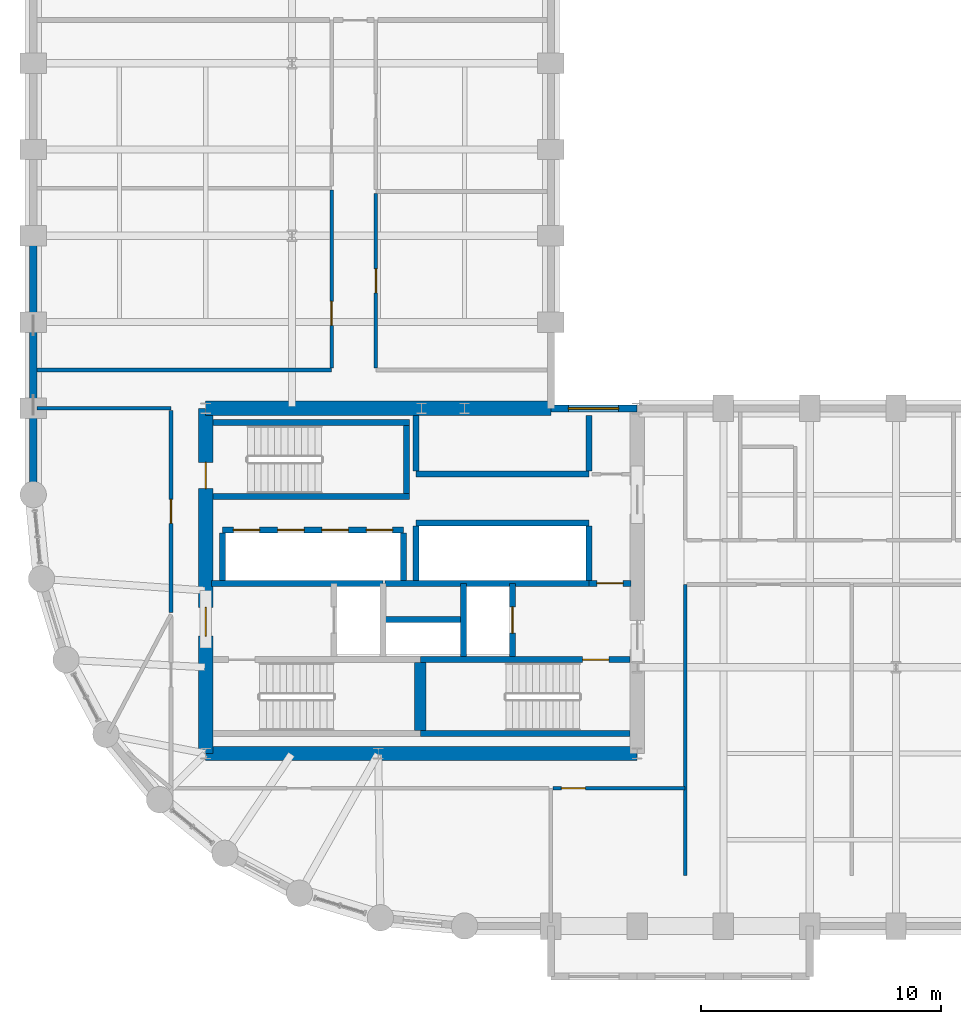
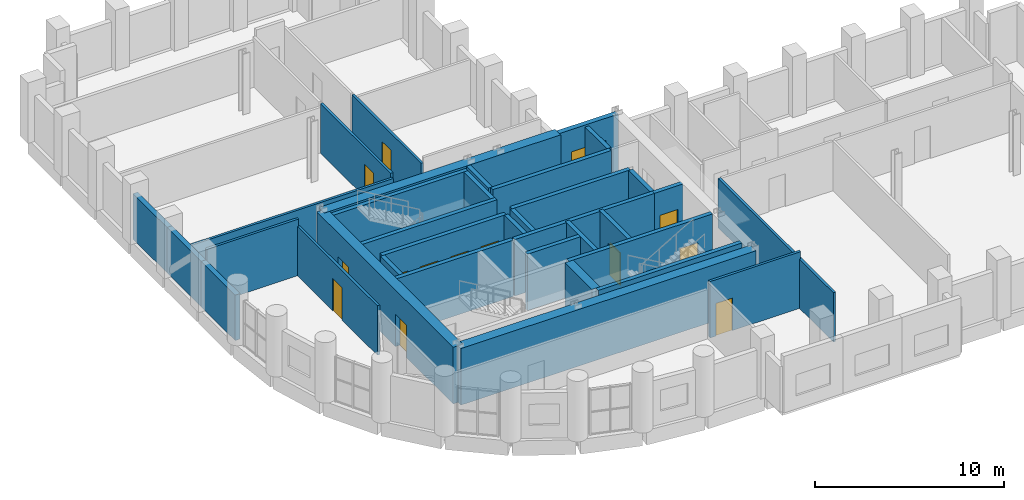
# One storey, part 7 of 11: 35 walls, 13 doors, 1 window, 14 openings.
"""IFC4 building model written with IfcOpenShell, lengths in metres."""

from ifc_helpers import new_model, si_unit, direction, frame, frame_2d, origin, place, context, subcontext, project, spatial, rectangle, extrude, material, layer, layer_set, type_object, element, fill, save


model = new_model("IFC4")

# Units and contexts
model_context = context("Model", 3, precision=1e-05, world=origin(), true_north=direction((0.0, 1.0)))
body_context = subcontext(model_context, "Body", "Model", "MODEL_VIEW")
ifc_project = project(units=[si_unit("LENGTHUNIT", "METRE"), si_unit("AREAUNIT", "SQUARE_METRE"), si_unit("VOLUMEUNIT", "CUBIC_METRE"), si_unit("PLANEANGLEUNIT", "RADIAN"), si_unit("MASSUNIT", "GRAM", prefix="KILO")], contexts=[model_context])

# Site, building, storey
site_placement = place(None, origin())
site = spatial("IfcSite", under=ifc_project, at=site_placement, CompositionType="ELEMENT")
building_placement = place(site_placement, origin())
building = spatial("IfcBuilding", under=site, at=building_placement, Name="Solnavia Interchange Tower", CompositionType="ELEMENT")
storey_placement = place(building_placement, frame((0.0, 0.0, 99.60009765625)))
storey = spatial("IfcBuildingStorey", under=building, at=storey_placement, Name="L24", CompositionType="ELEMENT", Elevation=99.60009765625)

# Wall, opening, window
ifc_material_1 = material(Name="Concrete C40/50", Category="concrete")
ifc_layer_1 = layer(ifc_material_1, 0.300048828125)
ifc_layer_set_1 = layer_set([ifc_layer_1], Name="Concrete C40/50")
wall_type_1 = type_object("IfcWallType", Name="Wall-ExtSpandrel-300", PredefinedType="STANDARD", material=ifc_layer_set_1)
wall_1_placement = place(storey_placement, frame((28.800048828125, 25.199951171875, 0.0), z_axis=(0.0, 0.0, 1.0), x_axis=(1.0, 0.0, 0.0)))
wall_1 = element("IfcWall", 1, at=wall_1_placement, inside=storey, type_object=wall_type_1, Name="EXW-L24-29 Exterior precast spandrel wall", PredefinedType="STANDARD", context=body_context, shape_type="SweptSolid", body=[
    extrude(rectangle(XDim=3.599853515625, YDim=0.300048828125, at=frame_2d((1.7998046875, 0.0))), origin(), (0.0, 0.0, 1.0), 3.635009765625),
])
opening_1_placement = place(wall_1_placement, frame((0.72802734375, 0.0, 0.85009765625)))
opening_1 = element("IfcOpeningElement", 2, at=opening_1_placement, cuts=wall_1, Name="Opening WIN-01", PredefinedType="OPENING", context=body_context, shape_type="SweptSolid", body=[
    extrude(rectangle(XDim=2.10009765625, YDim=1.35009765625, at=frame_2d((1.050048828125, 0.675048828125))), frame((0.0, 0.16015625, 0.0), z_axis=(0.0, -1.0, 0.0), x_axis=(1.0, 0.0, 0.0)), (0.0, 0.0, 1.0), 0.320068359375),
])
ifc_material_2 = material(Name="Thermal-Break Aluminium & Low-E Glass", Category="aluminium")
window_type = type_object("IfcWindowType", Name="Window-Ribbon-2100x1350", PartitioningType="SINGLE_PANEL", PredefinedType="WINDOW", material=ifc_material_2)
window_placement = place(opening_1_placement, origin())
window = element("IfcWindow", 3, at=window_placement, inside=storey, type_object=window_type, Name="WIN-L24-29 Facade ribbon window", OverallHeight=1.35009765625, OverallWidth=2.10009765625, PartitioningType="SINGLE_PANEL", PredefinedType="WINDOW", context=body_context, shape_type="SweptSolid", body=[
    extrude(rectangle(XDim=2.10009765625, YDim=1.35009765625, at=frame_2d((1.050048828125, 0.675048828125))), frame((0.0, 0.030029296875, 0.0), z_axis=(0.0, -1.0, 0.0), x_axis=(1.0, 0.0, 0.0)), (0.0, 0.0, 1.0), 0.06005859375),
])
fill(opening_1, window)

# Walls
wall_2_placement = place(storey_placement, frame((7.199951171875, 28.800048828125, 0.0), z_axis=(0.0, 0.0, 1.0), x_axis=(0.0, 1.0, 0.0)))
element("IfcWall", 4, at=wall_2_placement, inside=storey, type_object=wall_type_1, Name="EXW-L24-50 Exterior precast spandrel wall", PredefinedType="STANDARD", context=body_context, shape_type="SweptSolid", body=[
    extrude(rectangle(XDim=3.599853515625, YDim=0.300048828125, at=frame_2d((1.7998046875, 0.0))), origin(), (0.0, 0.0, 1.0), 2.929931640625),
])
wall_3_placement = place(storey_placement, frame((7.199951171875, 25.199951171875, 0.0), z_axis=(0.0, 0.0, 1.0), x_axis=(0.0, 1.0, 0.0)))
element("IfcWall", 5, at=wall_3_placement, inside=storey, type_object=wall_type_1, Name="EXW-L24-51 Exterior precast spandrel wall", PredefinedType="STANDARD", context=body_context, shape_type="SweptSolid", body=[
    extrude(rectangle(XDim=3.60009765625, YDim=0.300048828125, at=frame_2d((1.800048828125, 0.0))), origin(), (0.0, 0.0, 1.0), 2.929931640625),
])
wall_4_placement = place(storey_placement, frame((7.199951171875, 21.60009765625, 0.0), z_axis=(0.0, 0.0, 1.0), x_axis=(0.0, 1.0, 0.0)))
element("IfcWall", 6, at=wall_4_placement, inside=storey, type_object=wall_type_1, Name="EXW-L24-52 Exterior precast spandrel wall", PredefinedType="STANDARD", context=body_context, shape_type="SweptSolid", body=[
    extrude(rectangle(XDim=3.599853515625, YDim=0.300048828125, at=frame_2d((1.7998046875, 0.0))), origin(), (0.0, 0.0, 1.0), 2.929931640625),
])
ifc_material_3 = material(Name="Gypsum Plasterboard & Steel Stud", Category="steel")
ifc_layer_2 = layer(ifc_material_3, 0.14990234375)
ifc_layer_set_2 = layer_set([ifc_layer_2], Name="Gypsum Plasterboard & Steel Stud")
wall_type_2 = type_object("IfcWallType", Name="Wall-Partition-150", PredefinedType="PARTITIONING", material=ifc_layer_set_2)
wall_5_placement = place(storey_placement, frame((7.35400390625, 25.199951171875, 0.0), z_axis=(0.0, 0.0, 1.0), x_axis=(1.0, 0.0, 0.0)))
element("IfcWall", 7, at=wall_5_placement, inside=storey, type_object=wall_type_2, Name="PTW-L24-07 Interior partition wall", PredefinedType="PARTITIONING", context=body_context, shape_type="SweptSolid", body=[
    extrude(rectangle(XDim=5.595947265625, YDim=0.14990234375, at=frame_2d((2.7978515625, 0.0))), origin(), (0.0, 0.0, 1.0), 3.635009765625),
])

# Wall, opening, door
wall_6_placement = place(storey_placement, frame((12.949951171875, 16.678955078125, 0.0), z_axis=(0.0, 0.0, 1.0), x_axis=(0.0, 1.0, 0.0)))
wall_6 = element("IfcWall", 8, at=wall_6_placement, inside=storey, type_object=wall_type_2, Name="PTW-L24-11 Interior partition wall", PredefinedType="PARTITIONING", context=body_context, shape_type="SweptSolid", body=[
    extrude(rectangle(XDim=8.442138671875, YDim=0.14990234375, at=frame_2d((4.22119140625, 0.0))), origin(), (0.0, 0.0, 1.0), 3.18994140625),
])
opening_2_placement = place(wall_6_placement, frame((3.720947265625, 0.0, 0.0)))
opening_2 = element("IfcOpeningElement", 9, at=opening_2_placement, cuts=wall_6, Name="Opening DR-07", PredefinedType="OPENING", context=body_context, shape_type="SweptSolid", body=[
    extrude(rectangle(XDim=1.0, YDim=2.10009765625, at=frame_2d((0.5, 1.050048828125))), frame((0.0, 0.0849609375, 0.0), z_axis=(0.0, -1.0, 0.0), x_axis=(1.0, 0.0, 0.0)), (0.0, 0.0, 1.0), 0.169921875),
])
ifc_material_4 = material(Name="Timber & Acoustic Glazed Office Door", Category="wood")
door_type_1 = type_object("IfcDoorType", Name="Door-Office-1000x2100", OperationType="SINGLE_SWING_RIGHT", PredefinedType="DOOR", material=ifc_material_4)
door_1_placement = place(opening_2_placement, origin())
door_1 = element("IfcDoor", 10, at=door_1_placement, inside=storey, type_object=door_type_1, Name="DR-L24-03 Interior room door", OperationType="SINGLE_SWING_LEFT", OverallHeight=2.10009765625, OverallWidth=1.0, PredefinedType="DOOR", context=body_context, shape_type="SweptSolid", body=[
    extrude(rectangle(XDim=1.0, YDim=2.10009765625, at=frame_2d((0.5, 1.050048828125))), frame((0.0, 0.02490234375, 0.0), z_axis=(0.0, -1.0, 0.0), x_axis=(1.0, 0.0, 0.0)), (0.0, 0.0, 1.0), 0.050048828125),
])
fill(opening_2, door_1)

wall_7_placement = place(storey_placement, frame((28.87890625, 9.35009765625, 0.0), z_axis=(0.0, 0.0, 1.0), x_axis=(1.0, 0.0, 0.0)))
wall_7 = element("IfcWall", 11, at=wall_7_placement, inside=storey, type_object=wall_type_2, Name="PTW-L24-14 Interior partition wall", PredefinedType="PARTITIONING", context=body_context, shape_type="SweptSolid", body=[
    extrude(rectangle(XDim=5.52099609375, YDim=0.14990234375, at=frame_2d((2.760498046875, 0.0))), origin(), (0.0, 0.0, 1.0), 3.635009765625),
])
opening_3_placement = place(wall_7_placement, frame((0.360107421875, 0.0, 0.0)))
opening_3 = element("IfcOpeningElement", 12, at=opening_3_placement, cuts=wall_7, Name="Opening DR-07", PredefinedType="OPENING", context=body_context, shape_type="SweptSolid", body=[
    extrude(rectangle(XDim=1.0, YDim=2.10009765625, at=frame_2d((0.5, 1.050048828125))), frame((0.0, 0.0849609375, 0.0), z_axis=(0.0, -1.0, 0.0), x_axis=(1.0, 0.0, 0.0)), (0.0, 0.0, 1.0), 0.169921875),
])
door_2_placement = place(opening_3_placement, origin())
door_2 = element("IfcDoor", 13, at=door_2_placement, inside=storey, type_object=door_type_1, Name="DR-L24-06 Interior room door", OperationType="SINGLE_SWING_LEFT", OverallHeight=2.10009765625, OverallWidth=1.0, PredefinedType="DOOR", context=body_context, shape_type="SweptSolid", body=[
    extrude(rectangle(XDim=1.0, YDim=2.10009765625, at=frame_2d((0.5, 1.050048828125))), frame((0.0, 0.02490234375, 0.0), z_axis=(0.0, -1.0, 0.0), x_axis=(1.0, 0.0, 0.0)), (0.0, 0.0, 1.0), 0.050048828125),
])
fill(opening_3, door_2)

# Walls
wall_8_placement = place(storey_placement, frame((34.39990234375, 5.699951171875, 0.0), z_axis=(0.0, 0.0, 1.0), x_axis=(0.0, 1.0, 0.0)))
element("IfcWall", 14, at=wall_8_placement, inside=storey, type_object=wall_type_2, Name="PTW-L24-15 Interior partition wall", PredefinedType="PARTITIONING", context=body_context, shape_type="SweptSolid", body=[
    extrude(rectangle(XDim=12.150146484375, YDim=0.14990234375, at=frame_2d((6.0751953125, 0.0))), origin(), (0.0, 0.0, 1.0), 3.179931640625),
])
wall_9_placement = place(storey_placement, frame((7.35400390625, 26.800048828125, 0.0), z_axis=(0.0, 0.0, 1.0), x_axis=(1.0, 0.0, 0.0)))
element("IfcWall", 15, at=wall_9_placement, inside=storey, type_object=wall_type_2, Name="PTW-L24-25 Interior partition wall", PredefinedType="PARTITIONING", context=body_context, shape_type="SweptSolid", body=[
    extrude(rectangle(XDim=12.2958984375, YDim=0.14990234375, at=frame_2d((6.14794921875, 0.0))), origin(), (0.0, 0.0, 1.0), 2.929931640625),
])

# Wall, opening, door
wall_10_placement = place(storey_placement, frame((19.64990234375, 26.87890625, 0.0), z_axis=(0.0, 0.0, 1.0), x_axis=(0.0, 1.0, 0.0)))
wall_10 = element("IfcWall", 16, at=wall_10_placement, inside=storey, type_object=wall_type_2, Name="PTW-L24-27 Interior partition wall", PredefinedType="PARTITIONING", context=body_context, shape_type="SweptSolid", body=[
    extrude(rectangle(XDim=7.43212890625, YDim=0.14990234375, at=frame_2d((3.716064453125, 0.0))), origin(), (0.0, 0.0, 1.0), 3.18994140625),
])
opening_4_placement = place(wall_10_placement, frame((1.7880859375, 0.0, 0.0)))
opening_4 = element("IfcOpeningElement", 17, at=opening_4_placement, cuts=wall_10, Name="Opening DR-07", PredefinedType="OPENING", context=body_context, shape_type="SweptSolid", body=[
    extrude(rectangle(XDim=1.0, YDim=2.10009765625, at=frame_2d((0.5, 1.050048828125))), frame((0.0, 0.0849609375, 0.0), z_axis=(0.0, -1.0, 0.0), x_axis=(1.0, 0.0, 0.0)), (0.0, 0.0, 1.0), 0.169921875),
])
door_3_placement = place(opening_4_placement, origin())
door_3 = element("IfcDoor", 18, at=door_3_placement, inside=storey, type_object=door_type_1, Name="DR-L24-12 Interior room door", OperationType="SINGLE_SWING_RIGHT", OverallHeight=2.10009765625, OverallWidth=1.0, PredefinedType="DOOR", context=body_context, shape_type="SweptSolid", body=[
    extrude(rectangle(XDim=1.0, YDim=2.10009765625, at=frame_2d((0.5, 1.050048828125))), frame((0.0, 0.02490234375, 0.0), z_axis=(0.0, -1.0, 0.0), x_axis=(1.0, 0.0, 0.0)), (0.0, 0.0, 1.0), 0.050048828125),
])
fill(opening_4, door_3)

wall_11_placement = place(storey_placement, frame((21.5, 26.87890625, 0.0), z_axis=(0.0, 0.0, 1.0), x_axis=(0.0, 1.0, 0.0)))
wall_11 = element("IfcWall", 19, at=wall_11_placement, inside=storey, type_object=wall_type_2, Name="PTW-L24-31 Interior partition wall", PredefinedType="PARTITIONING", context=body_context, shape_type="SweptSolid", body=[
    extrude(rectangle(XDim=7.2919921875, YDim=0.14990234375, at=frame_2d((3.64599609375, 0.0))), origin(), (0.0, 0.0, 1.0), 3.18994140625),
])
opening_5_placement = place(wall_11_placement, frame((3.14599609375, 0.0, 0.0)))
opening_5 = element("IfcOpeningElement", 20, at=opening_5_placement, cuts=wall_11, Name="Opening DR-07", PredefinedType="OPENING", context=body_context, shape_type="SweptSolid", body=[
    extrude(rectangle(XDim=1.0, YDim=2.10009765625, at=frame_2d((0.5, 1.050048828125))), frame((0.0, 0.0849609375, 0.0), z_axis=(0.0, -1.0, 0.0), x_axis=(1.0, 0.0, 0.0)), (0.0, 0.0, 1.0), 0.169921875),
])
door_4_placement = place(opening_5_placement, origin())
door_4 = element("IfcDoor", 21, at=door_4_placement, inside=storey, type_object=door_type_1, Name="DR-L24-14 Interior room door", OperationType="SINGLE_SWING_LEFT", OverallHeight=2.10009765625, OverallWidth=1.0, PredefinedType="DOOR", context=body_context, shape_type="SweptSolid", body=[
    extrude(rectangle(XDim=1.0, YDim=2.10009765625, at=frame_2d((0.5, 1.050048828125))), frame((0.0, 0.02490234375, 0.0), z_axis=(0.0, -1.0, 0.0), x_axis=(1.0, 0.0, 0.0)), (0.0, 0.0, 1.0), 0.050048828125),
])
fill(opening_5, door_4)

# Wall
ifc_layer_3 = layer(ifc_material_1, 0.25)
ifc_layer_set_3 = layer_set([ifc_layer_3], Name="Concrete C40/50")
wall_type_3 = type_object("IfcWallType", Name="Wall-ShaftCore-250", PredefinedType="SHEAR", material=ifc_layer_set_3)
wall_12_placement = place(storey_placement, frame((23.35009765625, 11.625, 0.0), z_axis=(0.0, 0.0, 1.0), x_axis=(1.0, 0.0, 0.0)))
element("IfcWall", 22, at=wall_12_placement, inside=storey, type_object=wall_type_3, Name="SHW-L24-ST2S Core shear wall", PredefinedType="SHEAR", context=body_context, shape_type="SweptSolid", body=[
    extrude(rectangle(XDim=8.75, YDim=0.25, at=frame_2d((4.375, 0.0))), origin(), (0.0, 0.0, 1.0), 3.64990234375),
])

# Wall, opening, door
wall_13_placement = place(storey_placement, frame((23.35009765625, 14.715087890625, 0.0), z_axis=(0.0, 0.0, 1.0), x_axis=(1.0, 0.0, 0.0)))
wall_13 = element("IfcWall", 23, at=wall_13_placement, inside=storey, type_object=wall_type_3, Name="SHW-L24-ST2N Core shear wall", PredefinedType="SHEAR", context=body_context, shape_type="SweptSolid", body=[
    extrude(rectangle(XDim=8.75, YDim=0.25, at=frame_2d((4.375, 0.0))), origin(), (0.0, 0.0, 1.0), 3.64990234375),
])
opening_6_placement = place(wall_13_placement, frame((6.77490234375, 0.0, 0.0)))
opening_6 = element("IfcOpeningElement", 24, at=opening_6_placement, cuts=wall_13, Name="Opening DR-01", PredefinedType="OPENING", context=body_context, shape_type="SweptSolid", body=[
    extrude(rectangle(XDim=1.10009765625, YDim=2.10009765625, at=frame_2d((0.550048828125, 1.050048828125))), frame((0.0, 0.135009765625, 0.0), z_axis=(0.0, -1.0, 0.0), x_axis=(1.0, 0.0, 0.0)), (0.0, 0.0, 1.0), 0.27001953125),
])
ifc_material_5 = material(Name="Steel Fire-Rated Leaf & Frame", Category="steel")
door_type_2 = type_object("IfcDoorType", Name="Door-StairFire-1100x2100", OperationType="SINGLE_SWING_LEFT", PredefinedType="DOOR", material=ifc_material_5)
door_5_placement = place(opening_6_placement, origin())
door_5 = element("IfcDoor", 25, at=door_5_placement, inside=storey, type_object=door_type_2, Name="DR-L24-ST2 Core fire door", OperationType="SINGLE_SWING_LEFT", OverallHeight=2.10009765625, OverallWidth=1.10009765625, PredefinedType="DOOR", context=body_context, shape_type="SweptSolid", body=[
    extrude(rectangle(XDim=1.10009765625, YDim=2.10009765625, at=frame_2d((0.550048828125, 1.050048828125))), frame((0.0, 0.02490234375, 0.0), z_axis=(0.0, -1.0, 0.0), x_axis=(1.0, 0.0, 0.0)), (0.0, 0.0, 1.0), 0.050048828125),
])
fill(opening_6, door_5)

# Walls
for number, where, z_axis, x_axis, name in (
    (26, (14.699951171875, 21.52490234375, 0.0), (0.0, 0.0, 1.0), (1.0, 0.0, 0.0), "SHW-L24-ST3S Core shear wall"),
    (27, (14.699951171875, 24.614990234375, 0.0), (0.0, 0.0, 1.0), (1.0, 0.0, 0.0), "SHW-L24-ST3N Core shear wall"),
):
    element("IfcWall", number, at=place(storey_placement, frame(where, z_axis=z_axis, x_axis=x_axis)), inside=storey, type_object=wall_type_3, Name=name, PredefinedType="SHEAR", context=body_context, shape_type="SweptSolid", body=[
        extrude(rectangle(XDim=8.199951171875, YDim=0.25, at=frame_2d((4.10009765625, 0.0))), origin(), (0.0, 0.0, 1.0), 3.64990234375),
    ])
wall_14_placement = place(storey_placement, frame((22.77490234375, 21.64990234375, 0.0), z_axis=(0.0, 0.0, 1.0), x_axis=(0.0, 1.0, 0.0)))
element("IfcWall", 28, at=wall_14_placement, inside=storey, type_object=wall_type_3, Name="SHW-L24-ST3E Core shear wall", PredefinedType="SHEAR", context=body_context, shape_type="SweptSolid", body=[
    extrude(rectangle(XDim=2.840087890625, YDim=0.25, at=frame_2d((1.419921875, 0.0))), origin(), (0.0, 0.0, 1.0), 3.64990234375),
])
ifc_layer_4 = layer(ifc_material_1, 0.25)
ifc_layer_set_4 = layer_set([ifc_layer_4], Name="Concrete C40/50")
wall_type_4 = type_object("IfcWallType", Name="Wall-ShaftPart-250", PredefinedType="PARTITIONING", material=ifc_layer_set_4)
wall_15_placement = place(storey_placement, frame((14.64990234375, 17.89990234375, 0.0), z_axis=(0.0, 0.0, 1.0), x_axis=(1.0, 0.0, 0.0)))
element("IfcWall", 29, at=wall_15_placement, inside=storey, type_object=wall_type_4, Name="SHW-L24-FFLW-N Core shaft wall", PredefinedType="PARTITIONING", context=body_context, shape_type="SweptSolid", body=[
    extrude(rectangle(XDim=7.150146484375, YDim=0.25, at=frame_2d((3.5751953125, 0.0))), origin(), (0.0, 0.0, 1.0), 3.635009765625),
])
wall_16_placement = place(storey_placement, frame((21.8798828125, 17.89990234375, 0.0), z_axis=(0.0, 0.0, 1.0), x_axis=(1.0, 0.0, 0.0)))
element("IfcWall", 30, at=wall_16_placement, inside=storey, type_object=wall_type_4, Name="SHW-L24-FFLE-N1 Core shaft wall", PredefinedType="PARTITIONING", context=body_context, shape_type="SweptSolid", body=[
    extrude(rectangle(XDim=8.52001953125, YDim=0.25, at=frame_2d((4.260009765625, 0.0))), origin(), (0.0, 0.0, 1.0), 3.635009765625),
])

# Wall, opening, door
wall_17_placement = place(storey_placement, frame((30.39990234375, 17.89990234375, 0.0), z_axis=(0.0, 0.0, 1.0), x_axis=(1.0, 0.0, 0.0)))
wall_17 = element("IfcWall", 31, at=wall_17_placement, inside=storey, type_object=wall_type_4, Name="SHW-L24-FFLE-N2 Core shaft wall", PredefinedType="PARTITIONING", context=body_context, shape_type="SweptSolid", body=[
    extrude(rectangle(XDim=1.75, YDim=0.25, at=frame_2d((0.875, 0.0))), origin(), (0.0, 0.0, 1.0), 3.635009765625),
])
opening_7_placement = place(wall_17_placement, frame((0.320068359375, 0.0, 0.0)))
opening_7 = element("IfcOpeningElement", 32, at=opening_7_placement, cuts=wall_17, Name="Opening DR-01", PredefinedType="OPENING", context=body_context, shape_type="SweptSolid", body=[
    extrude(rectangle(XDim=1.10009765625, YDim=2.10009765625, at=frame_2d((0.550048828125, 1.050048828125))), frame((0.0, 0.135009765625, 0.0), z_axis=(0.0, -1.0, 0.0), x_axis=(1.0, 0.0, 0.0)), (0.0, 0.0, 1.0), 0.27001953125),
])
door_6_placement = place(opening_7_placement, origin())
door_6 = element("IfcDoor", 33, at=door_6_placement, inside=storey, type_object=door_type_2, Name="DR-L24-LLC Core fire door", OperationType="SINGLE_SWING_LEFT", OverallHeight=2.10009765625, OverallWidth=1.10009765625, PredefinedType="DOOR", context=body_context, shape_type="SweptSolid", body=[
    extrude(rectangle(XDim=1.10009765625, YDim=2.10009765625, at=frame_2d((0.550048828125, 1.050048828125))), frame((0.0, 0.02490234375, 0.0), z_axis=(0.0, -1.0, 0.0), x_axis=(1.0, 0.0, 0.0)), (0.0, 0.0, 1.0), 0.050048828125),
])
fill(opening_7, door_6)

# Wall
wall_18_placement = place(storey_placement, frame((25.14990234375, 14.840087890625, 0.0), z_axis=(0.0, 0.0, 1.0), x_axis=(0.0, 1.0, 0.0)))
element("IfcWall", 34, at=wall_18_placement, inside=storey, type_object=wall_type_4, Name="SHW-L24-FFL2-W Core shaft wall", PredefinedType="PARTITIONING", context=body_context, shape_type="SweptSolid", body=[
    extrude(rectangle(XDim=3.059814453125, YDim=0.25, at=frame_2d((1.52978515625, 0.0))), origin(), (0.0, 0.0, 1.0), 3.635009765625),
])

# Wall, opening, door
wall_19_placement = place(storey_placement, frame((27.199951171875, 14.840087890625, 0.0), z_axis=(0.0, 0.0, 1.0), x_axis=(0.0, 1.0, 0.0)))
wall_19 = element("IfcWall", 35, at=wall_19_placement, inside=storey, type_object=wall_type_4, Name="SHW-L24-FFL2-E Core shaft wall", PredefinedType="PARTITIONING", context=body_context, shape_type="SweptSolid", body=[
    extrude(rectangle(XDim=3.059814453125, YDim=0.25, at=frame_2d((1.52978515625, 0.0))), origin(), (0.0, 0.0, 1.0), 3.635009765625),
])
opening_8_placement = place(wall_19_placement, frame((0.97998046875, 0.0, 0.0)))
opening_8 = element("IfcOpeningElement", 36, at=opening_8_placement, cuts=wall_19, Name="Opening LD-01", PredefinedType="OPENING", context=body_context, shape_type="SweptSolid", body=[
    extrude(rectangle(XDim=1.10009765625, YDim=2.10009765625, at=frame_2d((0.550048828125, 1.050048828125))), frame((0.0, 0.135009765625, 0.0), z_axis=(0.0, -1.0, 0.0), x_axis=(1.0, 0.0, 0.0)), (0.0, 0.0, 1.0), 0.27001953125),
])
ifc_material_6 = material(Name="Brushed Stainless Steel Sliding Door", Category="steel")
door_type_3 = type_object("IfcDoorType", Name="Door-LiftLanding-1100x2100", OperationType="SLIDING_TO_LEFT", PredefinedType="DOOR", material=ifc_material_6)
door_7_placement = place(opening_8_placement, origin())
door_7 = element("IfcDoor", 37, at=door_7_placement, inside=storey, type_object=door_type_3, Name="LD-L24-FFL2 Lift landing sliding door", OperationType="SLIDING_TO_LEFT", OverallHeight=2.10009765625, OverallWidth=1.10009765625, PredefinedType="DOOR", context=body_context, shape_type="SweptSolid", body=[
    extrude(rectangle(XDim=1.10009765625, YDim=2.10009765625, at=frame_2d((0.550048828125, 1.050048828125))), frame((0.0, 0.02490234375, 0.0), z_axis=(0.0, -1.0, 0.0), x_axis=(1.0, 0.0, 0.0)), (0.0, 0.0, 1.0), 0.050048828125),
])
fill(opening_8, door_7)

# Wall
wall_20_placement = place(storey_placement, frame((21.800048828125, 16.39990234375, 0.0), z_axis=(0.0, 0.0, 1.0), x_axis=(1.0, 0.0, 0.0)))
element("IfcWall", 38, at=wall_20_placement, inside=storey, type_object=wall_type_4, Name="SHW-L24-MEP-N Core shaft wall", PredefinedType="PARTITIONING", context=body_context, shape_type="SweptSolid", body=[
    extrude(rectangle(XDim=3.349853515625, YDim=0.25, at=frame_2d((1.6748046875, 0.0))), origin(), (0.0, 0.0, 1.0), 3.635009765625),
])

# Wall, openings, doors
wall_21_placement = place(storey_placement, frame((15.10009765625, 20.125, 0.0), z_axis=(0.0, 0.0, 1.0), x_axis=(1.0, 0.0, 0.0)))
wall_21 = element("IfcWall", 39, at=wall_21_placement, inside=storey, type_object=wall_type_4, Name="SHW-L24-B1N Core shaft wall", PredefinedType="PARTITIONING", context=body_context, shape_type="SweptSolid", body=[
    extrude(rectangle(XDim=7.5498046875, YDim=0.25, at=frame_2d((3.77490234375, 0.0))), origin(), (0.0, 0.0, 1.0), 3.635009765625),
])
opening_9_placement = place(wall_21_placement, frame((0.449951171875, 0.0, 0.0)))
opening_9 = element("IfcOpeningElement", 40, at=opening_9_placement, cuts=wall_21, Name="Opening LD-01", PredefinedType="OPENING", context=body_context, shape_type="SweptSolid", body=[
    extrude(rectangle(XDim=1.10009765625, YDim=2.10009765625, at=frame_2d((0.550048828125, 1.050048828125))), frame((0.0, 0.135009765625, 0.0), z_axis=(0.0, -1.0, 0.0), x_axis=(1.0, 0.0, 0.0)), (0.0, 0.0, 1.0), 0.27001953125),
])
opening_10_placement = place(wall_21_placement, frame((2.300048828125, 0.0, 0.0)))
opening_10 = element("IfcOpeningElement", 41, at=opening_10_placement, cuts=wall_21, Name="Opening LD-01", PredefinedType="OPENING", context=body_context, shape_type="SweptSolid", body=[
    extrude(rectangle(XDim=1.10009765625, YDim=2.10009765625, at=frame_2d((0.550048828125, 1.050048828125))), frame((0.0, 0.135009765625, 0.0), z_axis=(0.0, -1.0, 0.0), x_axis=(1.0, 0.0, 0.0)), (0.0, 0.0, 1.0), 0.27001953125),
])
opening_11_placement = place(wall_21_placement, frame((4.14990234375, 0.0, 0.0)))
opening_11 = element("IfcOpeningElement", 42, at=opening_11_placement, cuts=wall_21, Name="Opening LD-01", PredefinedType="OPENING", context=body_context, shape_type="SweptSolid", body=[
    extrude(rectangle(XDim=1.10009765625, YDim=2.10009765625, at=frame_2d((0.550048828125, 1.050048828125))), frame((0.0, 0.135009765625, 0.0), z_axis=(0.0, -1.0, 0.0), x_axis=(1.0, 0.0, 0.0)), (0.0, 0.0, 1.0), 0.27001953125),
])
opening_12_placement = place(wall_21_placement, frame((6.0, 0.0, 0.0)))
opening_12 = element("IfcOpeningElement", 43, at=opening_12_placement, cuts=wall_21, Name="Opening LD-01", PredefinedType="OPENING", context=body_context, shape_type="SweptSolid", body=[
    extrude(rectangle(XDim=1.10009765625, YDim=2.10009765625, at=frame_2d((0.550048828125, 1.050048828125))), frame((0.0, 0.135009765625, 0.0), z_axis=(0.0, -1.0, 0.0), x_axis=(1.0, 0.0, 0.0)), (0.0, 0.0, 1.0), 0.27001953125),
])
door_8_placement = place(opening_9_placement, origin())
door_8 = element("IfcDoor", 44, at=door_8_placement, inside=storey, type_object=door_type_3, Name="LD-L24-B1-1 Lift landing sliding door", OperationType="SLIDING_TO_LEFT", OverallHeight=2.10009765625, OverallWidth=1.10009765625, PredefinedType="DOOR", context=body_context, shape_type="SweptSolid", body=[
    extrude(rectangle(XDim=1.10009765625, YDim=2.10009765625, at=frame_2d((0.550048828125, 1.050048828125))), frame((0.0, 0.02490234375, 0.0), z_axis=(0.0, -1.0, 0.0), x_axis=(1.0, 0.0, 0.0)), (0.0, 0.0, 1.0), 0.050048828125),
])
fill(opening_9, door_8)
door_9_placement = place(opening_10_placement, origin())
door_9 = element("IfcDoor", 45, at=door_9_placement, inside=storey, type_object=door_type_3, Name="LD-L24-B1-2 Lift landing sliding door", OperationType="SLIDING_TO_LEFT", OverallHeight=2.10009765625, OverallWidth=1.10009765625, PredefinedType="DOOR", context=body_context, shape_type="SweptSolid", body=[
    extrude(rectangle(XDim=1.10009765625, YDim=2.10009765625, at=frame_2d((0.550048828125, 1.050048828125))), frame((0.0, 0.02490234375, 0.0), z_axis=(0.0, -1.0, 0.0), x_axis=(1.0, 0.0, 0.0)), (0.0, 0.0, 1.0), 0.050048828125),
])
fill(opening_10, door_9)
door_10_placement = place(opening_11_placement, origin())
door_10 = element("IfcDoor", 46, at=door_10_placement, inside=storey, type_object=door_type_3, Name="LD-L24-B1-3 Lift landing sliding door", OperationType="SLIDING_TO_LEFT", OverallHeight=2.10009765625, OverallWidth=1.10009765625, PredefinedType="DOOR", context=body_context, shape_type="SweptSolid", body=[
    extrude(rectangle(XDim=1.10009765625, YDim=2.10009765625, at=frame_2d((0.550048828125, 1.050048828125))), frame((0.0, 0.02490234375, 0.0), z_axis=(0.0, -1.0, 0.0), x_axis=(1.0, 0.0, 0.0)), (0.0, 0.0, 1.0), 0.050048828125),
])
fill(opening_11, door_10)
door_11_placement = place(opening_12_placement, origin())
door_11 = element("IfcDoor", 47, at=door_11_placement, inside=storey, type_object=door_type_3, Name="LD-L24-B1-4 Lift landing sliding door", OperationType="SLIDING_TO_LEFT", OverallHeight=2.10009765625, OverallWidth=1.10009765625, PredefinedType="DOOR", context=body_context, shape_type="SweptSolid", body=[
    extrude(rectangle(XDim=1.10009765625, YDim=2.10009765625, at=frame_2d((0.550048828125, 1.050048828125))), frame((0.0, 0.02490234375, 0.0), z_axis=(0.0, -1.0, 0.0), x_axis=(1.0, 0.0, 0.0)), (0.0, 0.0, 1.0), 0.050048828125),
])
fill(opening_12, door_11)

# Walls
for number, where, z_axis, x_axis, name in (
    (48, (15.10009765625, 18.02490234375, 0.0), (0.0, 0.0, 1.0), (0.0, 1.0, 0.0), "SHW-L24-B1W Core shaft wall"),
    (49, (22.64990234375, 18.02490234375, 0.0), (0.0, 0.0, 1.0), (0.0, 1.0, 0.0), "SHW-L24-B1E Core shaft wall"),
):
    element("IfcWall", number, at=place(storey_placement, frame(where, z_axis=z_axis, x_axis=x_axis)), inside=storey, type_object=wall_type_4, Name=name, PredefinedType="PARTITIONING", context=body_context, shape_type="SweptSolid", body=[
        extrude(rectangle(XDim=1.97509765625, YDim=0.25, at=frame_2d((0.987548828125, 0.0))), origin(), (0.0, 0.0, 1.0), 3.635009765625),
    ])
wall_22_placement = place(storey_placement, frame((23.179931640625, 20.419921875, 0.0), z_axis=(0.0, 0.0, 1.0), x_axis=(1.0, 0.0, 0.0)))
element("IfcWall", 50, at=wall_22_placement, inside=storey, type_object=wall_type_4, Name="SHW-L24-B2N Core shaft wall", PredefinedType="PARTITIONING", context=body_context, shape_type="SweptSolid", body=[
    extrude(rectangle(XDim=7.219970703125, YDim=0.25, at=frame_2d((3.60986328125, 0.0))), origin(), (0.0, 0.0, 1.0), 3.635009765625),
])
for number, where, z_axis, x_axis, name in (
    (51, (23.179931640625, 18.02490234375, 0.0), (0.0, 0.0, 1.0), (0.0, 1.0, 0.0), "SHW-L24-B2W Core shaft wall"),
    (52, (30.39990234375, 18.02490234375, 0.0), (0.0, 0.0, 1.0), (0.0, 1.0, 0.0), "SHW-L24-B2E Core shaft wall"),
):
    element("IfcWall", number, at=place(storey_placement, frame(where, z_axis=z_axis, x_axis=x_axis)), inside=storey, type_object=wall_type_4, Name=name, PredefinedType="PARTITIONING", context=body_context, shape_type="SweptSolid", body=[
        extrude(rectangle(XDim=2.27001953125, YDim=0.25, at=frame_2d((1.135009765625, 0.0))), origin(), (0.0, 0.0, 1.0), 3.635009765625),
    ])
wall_23_placement = place(storey_placement, frame((23.179931640625, 22.4599609375, 0.0), z_axis=(0.0, 0.0, 1.0), x_axis=(1.0, 0.0, 0.0)))
element("IfcWall", 53, at=wall_23_placement, inside=storey, type_object=wall_type_4, Name="SHW-L24-B3S Core shaft wall", PredefinedType="PARTITIONING", context=body_context, shape_type="SweptSolid", body=[
    extrude(rectangle(XDim=7.219970703125, YDim=0.25, at=frame_2d((3.60986328125, 0.0))), origin(), (0.0, 0.0, 1.0), 3.635009765625),
])
for number, where, z_axis, x_axis, name in (
    (54, (23.179931640625, 22.5849609375, 0.0), (0.0, 0.0, 1.0), (0.0, 1.0, 0.0), "SHW-L24-B3W Core shaft wall"),
    (55, (30.39990234375, 22.5849609375, 0.0), (0.0, 0.0, 1.0), (0.0, 1.0, 0.0), "SHW-L24-B3E Core shaft wall"),
):
    element("IfcWall", number, at=place(storey_placement, frame(where, z_axis=z_axis, x_axis=x_axis)), inside=storey, type_object=wall_type_4, Name=name, PredefinedType="PARTITIONING", context=body_context, shape_type="SweptSolid", body=[
        extrude(rectangle(XDim=2.31494140625, YDim=0.25, at=frame_2d((1.157470703125, 0.0))), origin(), (0.0, 0.0, 1.0), 3.635009765625),
    ])
ifc_material_7 = material(Name="Concrete C60/75", Category="concrete")
ifc_layer_5 = layer(ifc_material_7, 0.5)
ifc_layer_set_5 = layer_set([ifc_layer_5], Name="Concrete C60/75")
wall_type_5 = type_object("IfcWallType", Name="Wall-ShearCore-500", PredefinedType="SHEAR", material=ifc_layer_set_5)
wall_24_placement = place(storey_placement, frame((23.35009765625, 11.75, 0.0), z_axis=(0.0, 0.0, 1.0), x_axis=(0.0, 1.0, 0.0)))
element("IfcWall", 56, at=wall_24_placement, inside=storey, type_object=wall_type_5, Name="SHW-L24-ST12M Core shear wall", PredefinedType="SHEAR", context=body_context, shape_type="SweptSolid", body=[
    extrude(rectangle(XDim=2.840087890625, YDim=0.5, at=frame_2d((1.419921875, 0.0))), origin(), (0.0, 0.0, 1.0), 3.64990234375),
])
ifc_layer_6 = layer(ifc_material_7, 0.60009765625)
ifc_layer_set_6 = layer_set([ifc_layer_6], Name="Concrete C60/75")
wall_type_6 = type_object("IfcWallType", Name="Wall-ShearCore-600", PredefinedType="SHEAR", material=ifc_layer_set_6)
wall_25_placement = place(storey_placement, frame((14.39990234375, 10.800048828125, 0.0), z_axis=(0.0, 0.0, 1.0), x_axis=(1.0, 0.0, 0.0)))
element("IfcWall", 57, at=wall_25_placement, inside=storey, type_object=wall_type_6, Name="CRW-L24-S Core shear wall", PredefinedType="SHEAR", context=body_context, shape_type="SweptSolid", body=[
    extrude(rectangle(XDim=18.0, YDim=0.60009765625, at=frame_2d((9.0, 0.0))), origin(), (0.0, 0.0, 1.0), 3.64990234375),
])
wall_26_placement = place(storey_placement, frame((14.39990234375, 25.199951171875, 0.0), z_axis=(0.0, 0.0, 1.0), x_axis=(1.0, 0.0, 0.0)))
element("IfcWall", 58, at=wall_26_placement, inside=storey, type_object=wall_type_6, Name="CRW-L24-N Core shear wall", PredefinedType="SHEAR", context=body_context, shape_type="SweptSolid", body=[
    extrude(rectangle(XDim=14.400146484375, YDim=0.60009765625, at=frame_2d((7.2001953125, 0.0))), origin(), (0.0, 0.0, 1.0), 3.64990234375),
])

# Wall, openings, doors
wall_27_placement = place(storey_placement, frame((14.39990234375, 10.800048828125, 0.0), z_axis=(0.0, 0.0, 1.0), x_axis=(0.0, 1.0, 0.0)))
wall_27 = element("IfcWall", 59, at=wall_27_placement, inside=storey, type_object=wall_type_6, Name="CRW-L24-W Core shear wall", PredefinedType="SHEAR", context=body_context, shape_type="SweptSolid", body=[
    extrude(rectangle(XDim=14.39990234375, YDim=0.60009765625, at=frame_2d((7.199951171875, 0.0))), origin(), (0.0, 0.0, 1.0), 3.64990234375),
])
opening_13_placement = place(wall_27_placement, frame((11.050048828125, 0.0, 0.0)))
opening_13 = element("IfcOpeningElement", 60, at=opening_13_placement, cuts=wall_27, Name="Opening DR-01", PredefinedType="OPENING", context=body_context, shape_type="SweptSolid", body=[
    extrude(rectangle(XDim=1.10009765625, YDim=2.10009765625, at=frame_2d((0.550048828125, 1.050048828125))), frame((0.0, 0.31005859375, 0.0), z_axis=(0.0, -1.0, 0.0), x_axis=(1.0, 0.0, 0.0)), (0.0, 0.0, 1.0), 0.6201171875),
])
opening_14_placement = place(wall_27_placement, frame((4.89990234375, 0.0, 0.0)))
opening_14 = element("IfcOpeningElement", 61, at=opening_14_placement, cuts=wall_27, Name="Opening DR-02", PredefinedType="OPENING", context=body_context, shape_type="SweptSolid", body=[
    extrude(rectangle(XDim=1.199951171875, YDim=2.10009765625, at=frame_2d((0.60009765625, 1.050048828125))), frame((0.0, 0.31005859375, 0.0), z_axis=(0.0, -1.0, 0.0), x_axis=(1.0, 0.0, 0.0)), (0.0, 0.0, 1.0), 0.6201171875),
])
ifc_material_8 = material(Name="Steel Fire-Rated Vision-Panel Door", Category="steel")
door_type_4 = type_object("IfcDoorType", Name="Door-LobbyFire-1200x2100", OperationType="SINGLE_SWING_RIGHT", PredefinedType="DOOR", material=ifc_material_8)
door_12_placement = place(opening_14_placement, origin())
door_12 = element("IfcDoor", 62, at=door_12_placement, inside=storey, type_object=door_type_4, Name="DR-L24-FFL1W Core fire door", OperationType="SINGLE_SWING_RIGHT", OverallHeight=2.10009765625, OverallWidth=1.199951171875, PredefinedType="DOOR", context=body_context, shape_type="SweptSolid", body=[
    extrude(rectangle(XDim=1.199951171875, YDim=2.10009765625, at=frame_2d((0.60009765625, 1.050048828125))), frame((0.0, 0.02490234375, 0.0), z_axis=(0.0, -1.0, 0.0), x_axis=(1.0, 0.0, 0.0)), (0.0, 0.0, 1.0), 0.050048828125),
])
fill(opening_14, door_12)
door_13_placement = place(opening_13_placement, origin())
door_13 = element("IfcDoor", 63, at=door_13_placement, inside=storey, type_object=door_type_2, Name="DR-L24-ST3 Core fire door", OperationType="SINGLE_SWING_RIGHT", OverallHeight=2.10009765625, OverallWidth=1.10009765625, PredefinedType="DOOR", context=body_context, shape_type="SweptSolid", body=[
    extrude(rectangle(XDim=1.10009765625, YDim=2.10009765625, at=frame_2d((0.550048828125, 1.050048828125))), frame((0.0, 0.02490234375, 0.0), z_axis=(0.0, -1.0, 0.0), x_axis=(1.0, 0.0, 0.0)), (0.0, 0.0, 1.0), 0.050048828125),
])
fill(opening_13, door_13)

save(model, "model.ifc")
